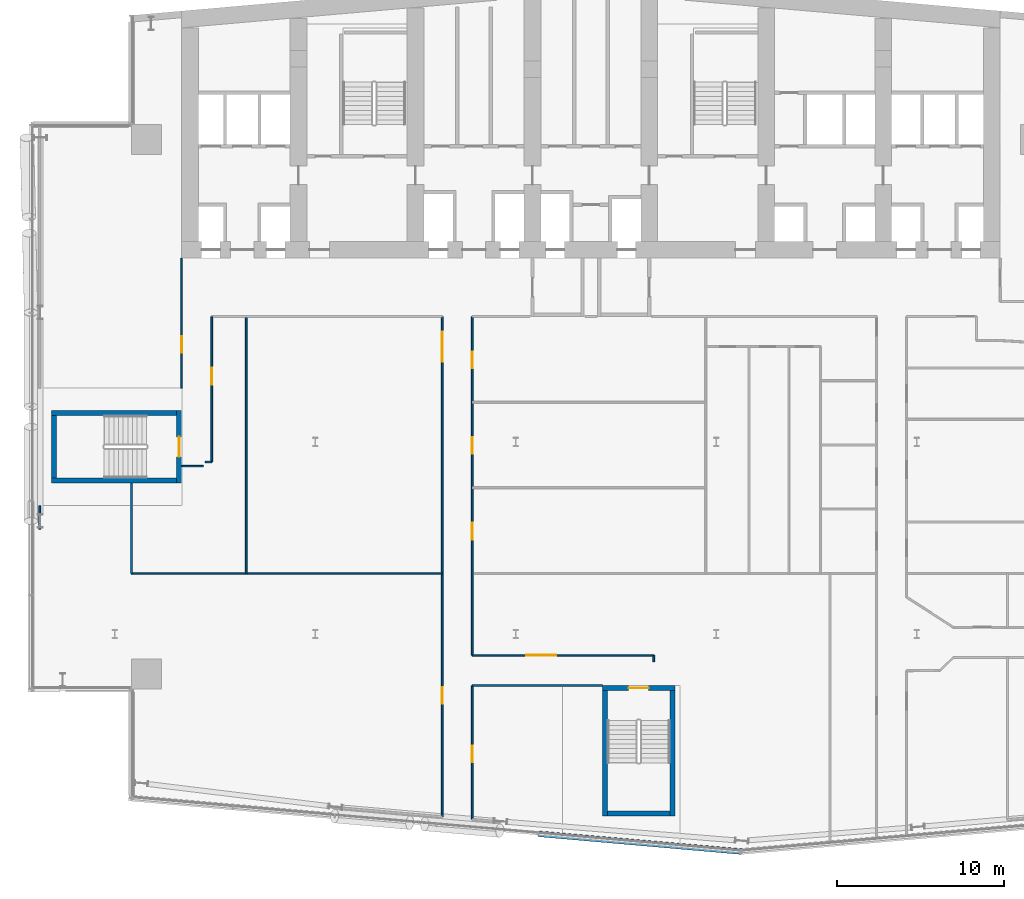
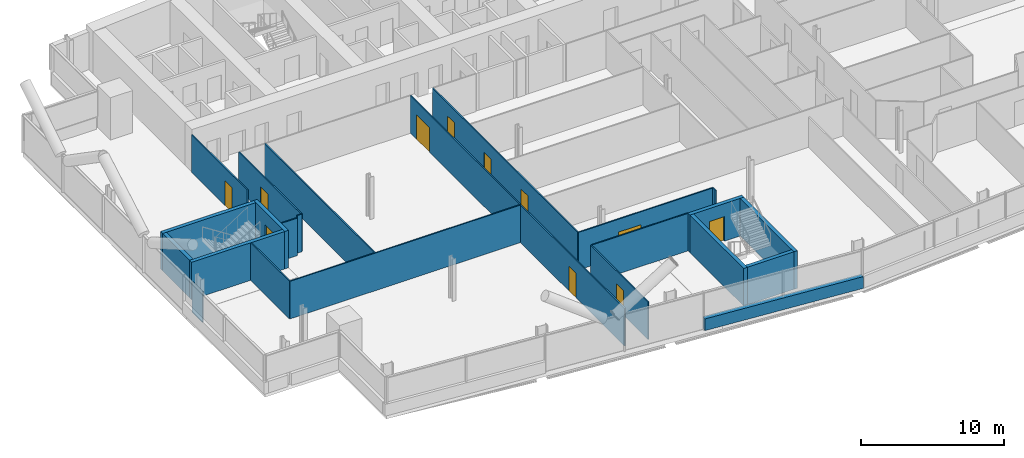
# One storey, part 14 of 27: 23 walls, 11 doors, 11 openings.
"""IFC4 building model written with IfcOpenShell, lengths in metres."""

from ifc_helpers import new_model, si_unit, direction, frame, frame_2d, origin, place, context, subcontext, project, spatial, rectangle, extrude, material, layer, layer_set, type_object, element, fill, save


model = new_model("IFC4")

# Units and contexts
model_context = context("Model", 3, precision=1e-05, world=origin(), true_north=direction((0.0, 1.0)))
body_context = subcontext(model_context, "Body", "Model", "MODEL_VIEW")
ifc_project = project(units=[si_unit("LENGTHUNIT", "METRE"), si_unit("AREAUNIT", "SQUARE_METRE"), si_unit("VOLUMEUNIT", "CUBIC_METRE"), si_unit("PLANEANGLEUNIT", "RADIAN"), si_unit("MASSUNIT", "GRAM", prefix="KILO")], contexts=[model_context])

# Site, building, storey
site_placement = place(None, origin())
site = spatial("IfcSite", under=ifc_project, at=site_placement, CompositionType="ELEMENT")
building_placement = place(site_placement, origin())
building = spatial("IfcBuilding", under=site, at=building_placement, Name="Wharfspan Tower", CompositionType="ELEMENT")
storey_placement = place(building_placement, frame((0.0, 0.0, 118.300049)))
storey = spatial("IfcBuildingStorey", under=building, at=storey_placement, Name="L27", CompositionType="ELEMENT", Elevation=118.300049)

# Wall
ifc_material_1 = material(Name="Gypsum board on steel studs", Category="steel")
ifc_layer_1 = layer(ifc_material_1, 0.100098)
ifc_layer_set_1 = layer_set([ifc_layer_1], Name="Gypsum board on steel studs")
wall_type_1 = type_object("IfcWallType", Name="Compartment wall 100 EI 60", PredefinedType="PARTITIONING", material=ifc_layer_set_1)
wall_1_placement = place(storey_placement, frame((13.0, 15.129883, 0.0), z_axis=(0.0, 0.0, 1.0), x_axis=(1.0, 0.0, 0.0)))
element("IfcWall", 1, at=wall_1_placement, inside=storey, type_object=wall_type_1, Name="Partition L27.w004", PredefinedType="PARTITIONING", context=body_context, shape_type="SweptSolid", body=[
    extrude(rectangle(XDim=18.600098, YDim=0.100098, at=frame_2d((9.300049, 0.0))), origin(), (0.0, 0.0, 1.0), 3.199951),
])

# Wall, opening, door
wall_2_placement = place(storey_placement, frame((16.0, 26.219971, 0.0), z_axis=(0.0, 0.0, 1.0), x_axis=(0.0, 1.0, 0.0)))
wall_2 = element("IfcWall", 2, at=wall_2_placement, inside=storey, type_object=wall_type_1, Name="Partition L27.w005", PredefinedType="PARTITIONING", context=body_context, shape_type="SweptSolid", body=[
    extrude(rectangle(XDim=7.76001, YDim=0.100098, at=frame_2d((3.879883, 0.0))), origin(), (0.0, 0.0, 1.0), 3.199951),
])
opening_1_placement = place(wall_2_placement, frame((2.100098, 0.0, 0.0)))
opening_1 = element("IfcOpeningElement", 3, at=opening_1_placement, cuts=wall_2, Name="Opening B3-23", PredefinedType="OPENING", context=body_context, shape_type="SweptSolid", body=[
    extrude(rectangle(XDim=1.0, YDim=2.100098, at=frame_2d((0.5, 1.050049))), frame((0.0, 0.060059, 0.0), z_axis=(0.0, -1.0, 0.0), x_axis=(1.0, 0.0, 0.0)), (0.0, 0.0, 1.0), 0.120117),
])
ifc_material_2 = material(Name="Fire-rated timber door leaf in steel frame", Category="steel")
door_type_1 = type_object("IfcDoorType", Name="Door 1000 FD30S Left", OperationType="SINGLE_SWING_LEFT", PredefinedType="DOOR", material=ifc_material_2)
door_1_placement = place(opening_1_placement, origin())
door_1 = element("IfcDoor", 4, at=door_1_placement, inside=storey, type_object=door_type_1, Name="Door B3-23", OperationType="SINGLE_SWING_LEFT", OverallHeight=2.100098, OverallWidth=1.0, PredefinedType="DOOR", context=body_context, shape_type="SweptSolid", body=[
    extrude(rectangle(XDim=1.0, YDim=2.100098, at=frame_2d((0.5, 1.050049))), frame((0.0, 0.024902, 0.0), z_axis=(0.0, -1.0, 0.0), x_axis=(1.0, 0.0, 0.0)), (0.0, 0.0, 1.0), 0.050049),
])
fill(opening_1, door_1)

# Walls
wall_3_placement = place(storey_placement, frame((16.02002, 21.550049, 0.0), z_axis=(0.0, 0.0, 1.0), x_axis=(1.0, 0.0, 0.0)))
element("IfcWall", 5, at=wall_3_placement, inside=storey, type_object=wall_type_1, Name="Partition L27.w006", PredefinedType="PARTITIONING", context=body_context, shape_type="SweptSolid", body=[
    extrude(rectangle(XDim=1.280029, YDim=0.100098, at=frame_2d((0.640137, 0.0))), origin(), (0.0, 0.0, 1.0), 3.199951),
])
wall_4_placement = place(storey_placement, frame((17.419922, 21.800049, 0.0), z_axis=(0.0, 0.0, 1.0), x_axis=(1.0, 0.0, 0.0)))
element("IfcWall", 6, at=wall_4_placement, inside=storey, type_object=wall_type_1, Name="Partition L27.w007", PredefinedType="PARTITIONING", context=body_context, shape_type="SweptSolid", body=[
    extrude(rectangle(XDim=0.380127, YDim=0.100098, at=frame_2d((0.189941, 0.0))), origin(), (0.0, 0.0, 1.0), 3.199951),
])

# Wall, opening, door
wall_5_placement = place(storey_placement, frame((17.800049, 21.800049, 0.0), z_axis=(0.0, 0.0, 1.0), x_axis=(0.0, 1.0, 0.0)))
wall_5 = element("IfcWall", 7, at=wall_5_placement, inside=storey, type_object=wall_type_1, Name="Partition L27.w008", PredefinedType="PARTITIONING", context=body_context, shape_type="SweptSolid", body=[
    extrude(rectangle(XDim=8.699951, YDim=0.100098, at=frame_2d((4.350098, 0.0))), origin(), (0.0, 0.0, 1.0), 3.199951),
])
opening_2_placement = place(wall_5_placement, frame((4.631348, 0.0, 0.0)))
opening_2 = element("IfcOpeningElement", 8, at=opening_2_placement, cuts=wall_5, Name="Opening B3-17", PredefinedType="OPENING", context=body_context, shape_type="SweptSolid", body=[
    extrude(rectangle(XDim=1.0, YDim=2.100098, at=frame_2d((0.5, 1.050049))), frame((0.0, 0.060059, 0.0), z_axis=(0.0, -1.0, 0.0), x_axis=(1.0, 0.0, 0.0)), (0.0, 0.0, 1.0), 0.120117),
])
door_type_2 = type_object("IfcDoorType", Name="Door 1000 FD30S Right", OperationType="SINGLE_SWING_RIGHT", PredefinedType="DOOR", material=ifc_material_2)
door_2_placement = place(opening_2_placement, origin())
door_2 = element("IfcDoor", 9, at=door_2_placement, inside=storey, type_object=door_type_2, Name="Door B3-17", OperationType="SINGLE_SWING_RIGHT", OverallHeight=2.100098, OverallWidth=1.0, PredefinedType="DOOR", context=body_context, shape_type="SweptSolid", body=[
    extrude(rectangle(XDim=1.0, YDim=2.100098, at=frame_2d((0.5, 1.050049))), frame((0.0, 0.024902, 0.0), z_axis=(0.0, -1.0, 0.0), x_axis=(1.0, 0.0, 0.0)), (0.0, 0.0, 1.0), 0.050049),
])
fill(opening_2, door_2)

# Wall
wall_6_placement = place(storey_placement, frame((19.875, 15.129883, 0.0), z_axis=(0.0, 0.0, 1.0), x_axis=(0.0, 1.0, 0.0)))
element("IfcWall", 10, at=wall_6_placement, inside=storey, type_object=wall_type_1, Name="Partition L27.w010", PredefinedType="PARTITIONING", context=body_context, shape_type="SweptSolid", body=[
    extrude(rectangle(XDim=15.370117, YDim=0.100098, at=frame_2d((7.685059, 0.0))), origin(), (0.0, 0.0, 1.0), 3.199951),
])

# Wall, openings, doors
wall_7_placement = place(storey_placement, frame((31.600098, 0.560059, 0.0), z_axis=(0.0, 0.0, 1.0), x_axis=(0.0, 1.0, 0.0)))
wall_7 = element("IfcWall", 11, at=wall_7_placement, inside=storey, type_object=wall_type_1, Name="Partition L27.w011", PredefinedType="PARTITIONING", context=body_context, shape_type="SweptSolid", body=[
    extrude(rectangle(XDim=29.939941, YDim=0.100098, at=frame_2d((14.969971, 0.0))), origin(), (0.0, 0.0, 1.0), 3.199951),
])
opening_3_placement = place(wall_7_placement, frame((6.75, 0.0, 0.0)))
opening_3 = element("IfcOpeningElement", 12, at=opening_3_placement, cuts=wall_7, Name="Opening B3-04", PredefinedType="OPENING", context=body_context, shape_type="SweptSolid", body=[
    extrude(rectangle(XDim=1.0, YDim=2.100098, at=frame_2d((0.5, 1.050049))), frame((0.0, 0.060059, 0.0), z_axis=(0.0, -1.0, 0.0), x_axis=(1.0, 0.0, 0.0)), (0.0, 0.0, 1.0), 0.120117),
])
opening_4_placement = place(wall_7_placement, frame((27.245117, 0.0, 0.0)))
opening_4 = element("IfcOpeningElement", 13, at=opening_4_placement, cuts=wall_7, Name="Opening B3-22", PredefinedType="OPENING", context=body_context, shape_type="SweptSolid", body=[
    extrude(rectangle(XDim=1.800049, YDim=2.100098, at=frame_2d((0.899902, 1.050049))), frame((0.0, 0.060059, 0.0), z_axis=(0.0, -1.0, 0.0), x_axis=(1.0, 0.0, 0.0)), (0.0, 0.0, 1.0), 0.120117),
])
door_3_placement = place(opening_3_placement, origin())
door_3 = element("IfcDoor", 14, at=door_3_placement, inside=storey, type_object=door_type_1, Name="Door B3-04", OperationType="SINGLE_SWING_LEFT", OverallHeight=2.100098, OverallWidth=1.0, PredefinedType="DOOR", context=body_context, shape_type="SweptSolid", body=[
    extrude(rectangle(XDim=1.0, YDim=2.100098, at=frame_2d((0.5, 1.050049))), frame((0.0, 0.024902, 0.0), z_axis=(0.0, -1.0, 0.0), x_axis=(1.0, 0.0, 0.0)), (0.0, 0.0, 1.0), 0.050049),
])
fill(opening_3, door_3)
door_type_3 = type_object("IfcDoorType", Name="Door 1800 FD30S Double", OperationType="DOUBLE_DOOR_SINGLE_SWING", PredefinedType="DOOR", material=ifc_material_2)
door_4_placement = place(opening_4_placement, origin())
door_4 = element("IfcDoor", 15, at=door_4_placement, inside=storey, type_object=door_type_3, Name="Door B3-22", OperationType="DOUBLE_DOOR_SINGLE_SWING", OverallHeight=2.100098, OverallWidth=1.800049, PredefinedType="DOOR", context=body_context, shape_type="SweptSolid", body=[
    extrude(rectangle(XDim=1.800049, YDim=2.100098, at=frame_2d((0.899902, 1.050049))), frame((0.0, 0.024902, 0.0), z_axis=(0.0, -1.0, 0.0), x_axis=(1.0, 0.0, 0.0)), (0.0, 0.0, 1.0), 0.050049),
])
fill(opening_4, door_4)

# Wall, opening, door
wall_8_placement = place(storey_placement, frame((33.399902, 0.399902, 0.0), z_axis=(0.0, 0.0, 1.0), x_axis=(0.0, 1.0, 0.0)))
wall_8 = element("IfcWall", 16, at=wall_8_placement, inside=storey, type_object=wall_type_1, Name="Partition L27.w013", PredefinedType="PARTITIONING", context=body_context, shape_type="SweptSolid", body=[
    extrude(rectangle(XDim=8.015137, YDim=0.100098, at=frame_2d((4.007568, 0.0))), origin(), (0.0, 0.0, 1.0), 3.199951),
])
opening_5_placement = place(wall_8_placement, frame((3.419922, 0.0, 0.0)))
opening_5 = element("IfcOpeningElement", 17, at=opening_5_placement, cuts=wall_8, Name="Opening B3-01", PredefinedType="OPENING", context=body_context, shape_type="SweptSolid", body=[
    extrude(rectangle(XDim=1.0, YDim=2.100098, at=frame_2d((0.5, 1.050049))), frame((0.0, 0.060059, 0.0), z_axis=(0.0, -1.0, 0.0), x_axis=(1.0, 0.0, 0.0)), (0.0, 0.0, 1.0), 0.120117),
])
door_5_placement = place(opening_5_placement, origin())
door_5 = element("IfcDoor", 18, at=door_5_placement, inside=storey, type_object=door_type_1, Name="Door B3-01", OperationType="SINGLE_SWING_LEFT", OverallHeight=2.100098, OverallWidth=1.0, PredefinedType="DOOR", context=body_context, shape_type="SweptSolid", body=[
    extrude(rectangle(XDim=1.0, YDim=2.100098, at=frame_2d((0.5, 1.050049))), frame((0.0, 0.024902, 0.0), z_axis=(0.0, -1.0, 0.0), x_axis=(1.0, 0.0, 0.0)), (0.0, 0.0, 1.0), 0.050049),
])
fill(opening_5, door_5)

# Wall
wall_9_placement = place(storey_placement, frame((33.399902, 8.415039, 0.0), z_axis=(0.0, 0.0, 1.0), x_axis=(1.0, 0.0, 0.0)))
element("IfcWall", 19, at=wall_9_placement, inside=storey, type_object=wall_type_1, Name="Partition L27.w014", PredefinedType="PARTITIONING", context=body_context, shape_type="SweptSolid", body=[
    extrude(rectangle(XDim=7.7854, YDim=0.100098, at=frame_2d((3.892578, 0.0))), origin(), (0.0, 0.0, 1.0), 3.199951),
])

# Wall, openings, doors
wall_10_placement = place(storey_placement, frame((33.399902, 10.219971, 0.0), z_axis=(0.0, 0.0, 1.0), x_axis=(0.0, 1.0, 0.0)))
wall_10 = element("IfcWall", 20, at=wall_10_placement, inside=storey, type_object=wall_type_1, Name="Partition L27.w015", PredefinedType="PARTITIONING", context=body_context, shape_type="SweptSolid", body=[
    extrude(rectangle(XDim=20.280029, YDim=0.100098, at=frame_2d((10.140137, 0.0))), origin(), (0.0, 0.0, 1.0), 3.199951),
])
opening_6_placement = place(wall_10_placement, frame((6.929932, 0.0, 0.0)))
opening_6 = element("IfcOpeningElement", 21, at=opening_6_placement, cuts=wall_10, Name="Opening B3-10", PredefinedType="OPENING", context=body_context, shape_type="SweptSolid", body=[
    extrude(rectangle(XDim=1.0, YDim=2.100098, at=frame_2d((0.5, 1.050049))), frame((0.0, 0.060059, 0.0), z_axis=(0.0, -1.0, 0.0), x_axis=(1.0, 0.0, 0.0)), (0.0, 0.0, 1.0), 0.120117),
])
opening_7_placement = place(wall_10_placement, frame((12.054932, 0.0, 0.0)))
opening_7 = element("IfcOpeningElement", 22, at=opening_7_placement, cuts=wall_10, Name="Opening B3-13", PredefinedType="OPENING", context=body_context, shape_type="SweptSolid", body=[
    extrude(rectangle(XDim=1.0, YDim=2.100098, at=frame_2d((0.5, 1.050049))), frame((0.0, 0.060059, 0.0), z_axis=(0.0, -1.0, 0.0), x_axis=(1.0, 0.0, 0.0)), (0.0, 0.0, 1.0), 0.120117),
])
opening_8_placement = place(wall_10_placement, frame((17.179932, 0.0, 0.0)))
opening_8 = element("IfcOpeningElement", 23, at=opening_8_placement, cuts=wall_10, Name="Opening B3-18", PredefinedType="OPENING", context=body_context, shape_type="SweptSolid", body=[
    extrude(rectangle(XDim=1.0, YDim=2.100098, at=frame_2d((0.5, 1.050049))), frame((0.0, 0.060059, 0.0), z_axis=(0.0, -1.0, 0.0), x_axis=(1.0, 0.0, 0.0)), (0.0, 0.0, 1.0), 0.120117),
])
door_6_placement = place(opening_6_placement, origin())
door_6 = element("IfcDoor", 24, at=door_6_placement, inside=storey, type_object=door_type_1, Name="Door B3-10", OperationType="SINGLE_SWING_LEFT", OverallHeight=2.100098, OverallWidth=1.0, PredefinedType="DOOR", context=body_context, shape_type="SweptSolid", body=[
    extrude(rectangle(XDim=1.0, YDim=2.100098, at=frame_2d((0.5, 1.050049))), frame((0.0, 0.024902, 0.0), z_axis=(0.0, -1.0, 0.0), x_axis=(1.0, 0.0, 0.0)), (0.0, 0.0, 1.0), 0.050049),
])
fill(opening_6, door_6)
door_7_placement = place(opening_7_placement, origin())
door_7 = element("IfcDoor", 25, at=door_7_placement, inside=storey, type_object=door_type_2, Name="Door B3-13", OperationType="SINGLE_SWING_RIGHT", OverallHeight=2.100098, OverallWidth=1.0, PredefinedType="DOOR", context=body_context, shape_type="SweptSolid", body=[
    extrude(rectangle(XDim=1.0, YDim=2.100098, at=frame_2d((0.5, 1.050049))), frame((0.0, 0.024902, 0.0), z_axis=(0.0, -1.0, 0.0), x_axis=(1.0, 0.0, 0.0)), (0.0, 0.0, 1.0), 0.050049),
])
fill(opening_7, door_7)
door_8_placement = place(opening_8_placement, origin())
door_8 = element("IfcDoor", 26, at=door_8_placement, inside=storey, type_object=door_type_2, Name="Door B3-18", OperationType="SINGLE_SWING_RIGHT", OverallHeight=2.100098, OverallWidth=1.0, PredefinedType="DOOR", context=body_context, shape_type="SweptSolid", body=[
    extrude(rectangle(XDim=1.0, YDim=2.100098, at=frame_2d((0.5, 1.050049))), frame((0.0, 0.024902, 0.0), z_axis=(0.0, -1.0, 0.0), x_axis=(1.0, 0.0, 0.0)), (0.0, 0.0, 1.0), 0.050049),
])
fill(opening_8, door_8)

# Wall, opening, door
wall_11_placement = place(storey_placement, frame((33.399902, 10.219971, 0.0), z_axis=(0.0, 0.0, 1.0), x_axis=(1.0, 0.0, 0.0)))
wall_11 = element("IfcWall", 27, at=wall_11_placement, inside=storey, type_object=wall_type_1, Name="Partition L27.w016", PredefinedType="PARTITIONING", context=body_context, shape_type="SweptSolid", body=[
    extrude(rectangle(XDim=10.860107, YDim=0.100098, at=frame_2d((5.430176, 0.0))), origin(), (0.0, 0.0, 1.0), 3.199951),
])
opening_9_placement = place(wall_11_placement, frame((3.233154, 0.0, 0.0)))
opening_9 = element("IfcOpeningElement", 28, at=opening_9_placement, cuts=wall_11, Name="Opening B3-06", PredefinedType="OPENING", context=body_context, shape_type="SweptSolid", body=[
    extrude(rectangle(XDim=1.800049, YDim=2.100098, at=frame_2d((0.899902, 1.050049))), frame((0.0, 0.060059, 0.0), z_axis=(0.0, -1.0, 0.0), x_axis=(1.0, 0.0, 0.0)), (0.0, 0.0, 1.0), 0.120117),
])
door_9_placement = place(opening_9_placement, origin())
door_9 = element("IfcDoor", 29, at=door_9_placement, inside=storey, type_object=door_type_3, Name="Door B3-06", OperationType="DOUBLE_DOOR_SINGLE_SWING", OverallHeight=2.100098, OverallWidth=1.800049, PredefinedType="DOOR", context=body_context, shape_type="SweptSolid", body=[
    extrude(rectangle(XDim=1.800049, YDim=2.100098, at=frame_2d((0.899902, 1.050049))), frame((0.0, 0.024902, 0.0), z_axis=(0.0, -1.0, 0.0), x_axis=(1.0, 0.0, 0.0)), (0.0, 0.0, 1.0), 0.050049),
])
fill(opening_9, door_9)

# Walls
wall_12_placement = place(storey_placement, frame((44.26001, 9.834961, 0.0), z_axis=(0.0, 0.0, 1.0), x_axis=(0.0, 1.0, 0.0)))
element("IfcWall", 30, at=wall_12_placement, inside=storey, type_object=wall_type_1, Name="Partition L27.w023", PredefinedType="PARTITIONING", context=body_context, shape_type="SweptSolid", body=[
    extrude(rectangle(XDim=0.380127, YDim=0.100098, at=frame_2d((0.189941, 0.0))), origin(), (0.0, 0.0, 1.0), 3.199951),
])
ifc_layer_2 = layer(ifc_material_1, 0.100098)
ifc_layer_set_2 = layer_set([ifc_layer_2], Name="Gypsum board on steel studs")
wall_type_2 = type_object("IfcWallType", Name="Partition 100", PredefinedType="PARTITIONING", material=ifc_layer_set_2)
wall_13_placement = place(storey_placement, frame((7.51001, 17.764893, 0.0), z_axis=(0.0, 0.0, 1.0), x_axis=(0.0, 1.0, 0.0)))
element("IfcWall", 31, at=wall_13_placement, inside=storey, type_object=wall_type_2, Name="Partition L27.w001", PredefinedType="PARTITIONING", context=body_context, shape_type="SweptSolid", body=[
    extrude(rectangle(XDim=1.415039, YDim=0.100098, at=frame_2d((0.70752, 0.0))), origin(), (0.0, 0.0, 1.0), 2.579834),
])
wall_14_placement = place(storey_placement, frame((13.0, 15.129883, 0.0), z_axis=(0.0, 0.0, 1.0), x_axis=(0.0, 1.0, 0.0)))
element("IfcWall", 32, at=wall_14_placement, inside=storey, type_object=wall_type_2, Name="Partition L27.w003", PredefinedType="PARTITIONING", context=body_context, shape_type="SweptSolid", body=[
    extrude(rectangle(XDim=5.39502, YDim=0.100098, at=frame_2d((2.69751, 0.0))), origin(), (0.0, 0.0, 1.0), 3.199951),
])
ifc_material_3 = material(Name="Concrete C40/50", Category="concrete")
ifc_layer_3 = layer(ifc_material_3, 0.350098)
ifc_layer_set_3 = layer_set([ifc_layer_3], Name="Concrete C40/50")
wall_type_3 = type_object("IfcWallType", Name="SPANDREL EXPOSED CONCRETE 350", PredefinedType="SOLIDWALL", material=ifc_layer_set_3)
wall_15_placement = place(storey_placement, frame((37.362793, -0.461426, 0.0), z_axis=(0.0, 0.0, 1.0), x_axis=(0.996194, -0.087159, 0.0)))
element("IfcWall", 33, at=wall_15_placement, inside=storey, type_object=wall_type_3, Name="Spandrel upstand L27 S1 2", PredefinedType="SOLIDWALL", context=body_context, shape_type="SweptSolid", body=[
    extrude(rectangle(XDim=12.19873, YDim=0.350098, at=frame_2d((6.099365, 0.0))), origin(), (0.0, 0.0, 1.0), 1.0),
])

# Wall, opening, door
ifc_layer_4 = layer(ifc_material_3, 0.300049)
ifc_layer_set_4 = layer_set([ifc_layer_4], Name="Concrete C40/50")
wall_type_4 = type_object("IfcWallType", Name="Stair core wall 300", PredefinedType="SHEAR", material=ifc_layer_set_4)
wall_16_placement = place(storey_placement, frame((15.850098, 20.524902, 0.0), z_axis=(0.0, 0.0, 1.0), x_axis=(0.0, 1.0, 0.0)))
wall_16 = element("IfcWall", 34, at=wall_16_placement, inside=storey, type_object=wall_type_4, Name="ST3 stair enclosure wall L27", PredefinedType="SHEAR", context=body_context, shape_type="SweptSolid", body=[
    extrude(rectangle(XDim=4.350098, YDim=0.300049, at=frame_2d((2.175049, 0.0))), origin(), (0.0, 0.0, 1.0), 3.199951),
])
opening_10_placement = place(wall_16_placement, frame((1.574951, 0.0, 0.0)))
opening_10 = element("IfcOpeningElement", 35, at=opening_10_placement, cuts=wall_16, Name="Opening SD3.L27", PredefinedType="OPENING", context=body_context, shape_type="SweptSolid", body=[
    extrude(rectangle(XDim=1.199951, YDim=2.100098, at=frame_2d((0.600098, 1.050049))), frame((0.0, 0.159912, 0.0), z_axis=(0.0, -1.0, 0.0), x_axis=(1.0, 0.0, 0.0)), (0.0, 0.0, 1.0), 0.320068),
])
ifc_material_4 = material(Name="Steel door leaf", Category="steel")
door_type_4 = type_object("IfcDoorType", Name="Stair door 1200x2100", OperationType="SINGLE_SWING_LEFT", PredefinedType="DOOR", material=ifc_material_4)
door_10_placement = place(opening_10_placement, origin())
door_10 = element("IfcDoor", 36, at=door_10_placement, inside=storey, type_object=door_type_4, Name="sd:L27:ST3z2", OperationType="SINGLE_SWING_RIGHT", OverallHeight=2.100098, OverallWidth=1.199951, PredefinedType="DOOR", context=body_context, shape_type="SweptSolid", body=[
    extrude(rectangle(XDim=1.199951, YDim=2.100098, at=frame_2d((0.600098, 1.050049))), frame((0.0, 0.024902, 0.0), z_axis=(0.0, -1.0, 0.0), x_axis=(1.0, 0.0, 0.0)), (0.0, 0.0, 1.0), 0.050049),
])
fill(opening_10, door_10)

wall_17_placement = place(storey_placement, frame((41.185303, 8.26709, 0.0), z_axis=(0.0, 0.0, 1.0), x_axis=(1.0, 0.0, 0.0)))
wall_17 = element("IfcWall", 37, at=wall_17_placement, inside=storey, type_object=wall_type_4, Name="ST4 stair enclosure wall L27", PredefinedType="SHEAR", context=body_context, shape_type="SweptSolid", body=[
    extrude(rectangle(XDim=4.350098, YDim=0.300049, at=frame_2d((2.175049, 0.0))), origin(), (0.0, 0.0, 1.0), 3.199951),
])
opening_11_placement = place(wall_17_placement, frame((1.574951, 0.0, 0.0)))
opening_11 = element("IfcOpeningElement", 38, at=opening_11_placement, cuts=wall_17, Name="Opening SD4.L27", PredefinedType="OPENING", context=body_context, shape_type="SweptSolid", body=[
    extrude(rectangle(XDim=1.199951, YDim=2.100098, at=frame_2d((0.600098, 1.050049))), frame((0.0, 0.159912, 0.0), z_axis=(0.0, -1.0, 0.0), x_axis=(1.0, 0.0, 0.0)), (0.0, 0.0, 1.0), 0.320068),
])
door_11_placement = place(opening_11_placement, origin())
door_11 = element("IfcDoor", 39, at=door_11_placement, inside=storey, type_object=door_type_4, Name="sd:L27:ST4z2", OperationType="SINGLE_SWING_RIGHT", OverallHeight=2.100098, OverallWidth=1.199951, PredefinedType="DOOR", context=body_context, shape_type="SweptSolid", body=[
    extrude(rectangle(XDim=1.199951, YDim=2.100098, at=frame_2d((0.600098, 1.050049))), frame((0.0, 0.024902, 0.0), z_axis=(0.0, -1.0, 0.0), x_axis=(1.0, 0.0, 0.0)), (0.0, 0.0, 1.0), 0.050049),
])
fill(opening_11, door_11)

# Walls
for number, where, z_axis, x_axis, name in (
    (40, (8.199951, 20.675049, 0.0), (0.0, 0.0, 1.0), (1.0, 0.0, 0.0), "ST3 stair enclosure wall L27"),
    (41, (8.199951, 24.725098, 0.0), (0.0, 0.0, 1.0), (1.0, 0.0, 0.0), "ST3 stair enclosure wall L27"),
):
    element("IfcWall", number, at=place(storey_placement, frame(where, z_axis=z_axis, x_axis=x_axis)), inside=storey, type_object=wall_type_4, Name=name, PredefinedType="SHEAR", context=body_context, shape_type="SweptSolid", body=[
        extrude(rectangle(XDim=7.5, YDim=0.300049, at=frame_2d((3.75, 0.0))), origin(), (0.0, 0.0, 1.0), 3.199951),
    ])
wall_18_placement = place(storey_placement, frame((8.350098, 20.824951, 0.0), z_axis=(0.0, 0.0, 1.0), x_axis=(0.0, 1.0, 0.0)))
element("IfcWall", 42, at=wall_18_placement, inside=storey, type_object=wall_type_4, Name="ST3 stair enclosure wall L27", PredefinedType="SHEAR", context=body_context, shape_type="SweptSolid", body=[
    extrude(rectangle(XDim=3.75, YDim=0.300049, at=frame_2d((1.875, 0.0))), origin(), (0.0, 0.0, 1.0), 3.199951),
])
for number, where, z_axis, x_axis, name in (
    (43, (41.335205, 0.616943, 0.0), (0.0, 0.0, 1.0), (0.0, 1.0, 0.0), "ST4 stair enclosure wall L27"),
    (44, (45.385254, 0.616943, 0.0), (0.0, 0.0, 1.0), (0.0, 1.0, 0.0), "ST4 stair enclosure wall L27"),
):
    element("IfcWall", number, at=place(storey_placement, frame(where, z_axis=z_axis, x_axis=x_axis)), inside=storey, type_object=wall_type_4, Name=name, PredefinedType="SHEAR", context=body_context, shape_type="SweptSolid", body=[
        extrude(rectangle(XDim=7.5, YDim=0.300049, at=frame_2d((3.75, 0.0))), origin(), (0.0, 0.0, 1.0), 3.199951),
    ])
wall_19_placement = place(storey_placement, frame((41.485352, 0.76709, 0.0), z_axis=(0.0, 0.0, 1.0), x_axis=(1.0, 0.0, 0.0)))
element("IfcWall", 45, at=wall_19_placement, inside=storey, type_object=wall_type_4, Name="ST4 stair enclosure wall L27", PredefinedType="SHEAR", context=body_context, shape_type="SweptSolid", body=[
    extrude(rectangle(XDim=3.75, YDim=0.300049, at=frame_2d((1.875, 0.0))), origin(), (0.0, 0.0, 1.0), 3.199951),
])

save(model, "model.ifc")
